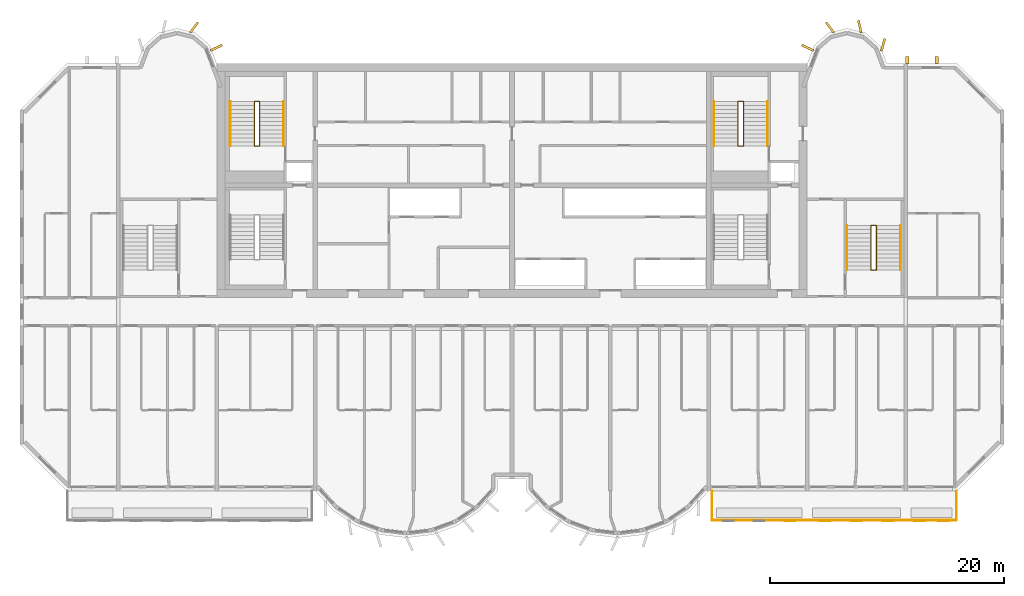
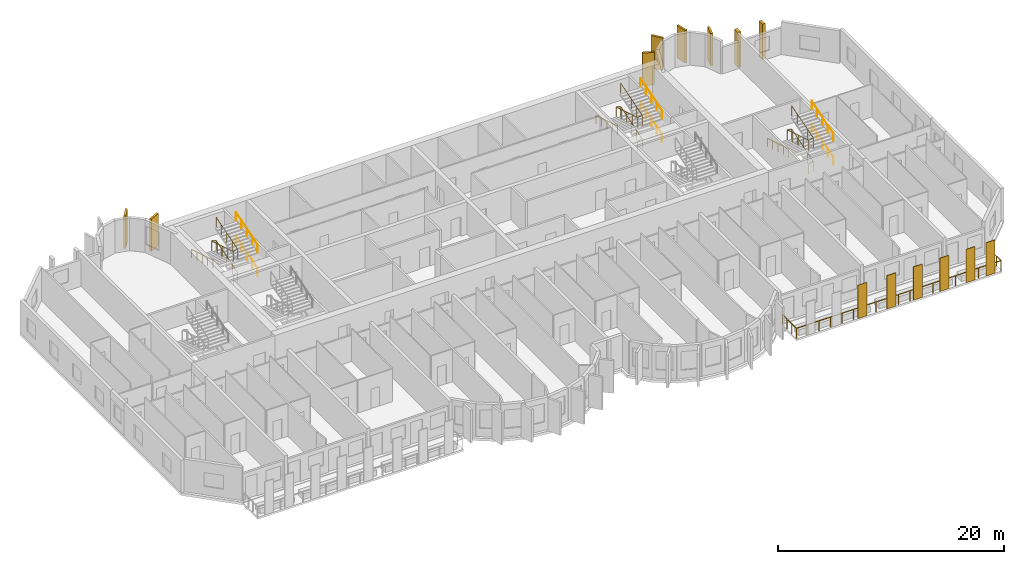
# One storey, part 12 of 13: 14 coverings, 13 railings.
"""IFC4 building model written with IfcOpenShell, lengths in metres."""

import ifcopenshell
import ifcopenshell.guid

model = None  # the IFC model being written
_history = None  # IfcOwnerHistory: only IFC2X3 demands one
_inside = {}  # id of a spatial element -> (the spatial element, [elements in it])
_under = {}  # id of a project, library or spatial element -> (it, [spatial elements below it])
_declared = {}  # id of a project -> (the project, [libraries it declares])
_typed = {}  # id of a type object -> (the type object, [elements of that type])
_made_of = {}  # id of a material, layer set ... -> (it, [elements and type objects made of it])


def new_model(schema):
    """Start an empty IFC model of exactly this schema.

    Asked for "IFC4X3", IfcOpenShell would pick the latest addendum, in which some entities
    have other attributes; the version numbers below select the first issue.
    IFC2X3 requires an IfcOwnerHistory on every rooted entity: one is made here for all.
    """
    global model, _history
    if schema == "IFC4X3":
        model = ifcopenshell.file(schema_version=(4, 3, 0, 0))
    else:
        model = ifcopenshell.file(schema=schema)
    _inside.clear()
    _under.clear()
    _declared.clear()
    _typed.clear()
    _made_of.clear()
    _history = None
    if model.schema == "IFC2X3":
        org = make("IfcOrganization", Name="unknown")
        user = make(
            "IfcPersonAndOrganization",
            ThePerson=make("IfcPerson", FamilyName="unknown"),
            TheOrganization=org,
        )
        app = make(
            "IfcApplication",
            ApplicationDeveloper=org,
            Version="unknown",
            ApplicationFullName="unknown",
            ApplicationIdentifier="unknown",
        )
        _history = make(
            "IfcOwnerHistory",
            OwningUser=user,
            OwningApplication=app,
            ChangeAction="ADDED",
            CreationDate=0,
        )
    return model


def make(cls, **values):
    """One entity of the class cls with the attributes given. An attribute that is None is left unset."""
    return model.create_entity(
        cls, **{name: value for name, value in values.items() if value is not None}
    )


def rooted(cls, **values):
    """An entity with a GlobalId (a new one), such as an element, a storey or a relation."""
    return make(cls, GlobalId=ifcopenshell.guid.new(), OwnerHistory=_history, **values)


def si_unit(unit_type, name, prefix=None):
    """IfcSIUnit, for example si_unit("LENGTHUNIT", "METRE", prefix="MILLI")."""
    return make("IfcSIUnit", UnitType=unit_type, Prefix=prefix, Name=name)


def assignment(units):
    """IfcUnitAssignment: the units of a project."""
    return None if units is None else make("IfcUnitAssignment", Units=units)


def point(xyz):
    """IfcCartesianPoint."""
    return None if xyz is None else make("IfcCartesianPoint", Coordinates=xyz)


def direction(xyz):
    """IfcDirection."""
    return None if xyz is None else make("IfcDirection", DirectionRatios=xyz)


def frame(location, z_axis=None, x_axis=None):
    """IfcAxis2Placement3D, a coordinate frame: its origin and axes. An axis left out is left unset."""
    return make(
        "IfcAxis2Placement3D",
        Location=point(location),
        Axis=direction(z_axis),
        RefDirection=direction(x_axis),
    )


def frame_2d(location, x_axis=None):
    """IfcAxis2Placement2D, a coordinate frame in the plane: its origin and x axis."""
    return make(
        "IfcAxis2Placement2D", Location=point(location), RefDirection=direction(x_axis)
    )


def origin():
    """The frame at (0, 0, 0) with its axes left unset."""
    return frame((0.0, 0.0, 0.0))


def origin_2d():
    """The frame at (0, 0) in the plane with its x axis left unset."""
    return frame_2d((0.0, 0.0))


def place(relative_to, where):
    """IfcLocalPlacement: puts the frame where relative to a parent placement (None: the world)."""
    return make(
        "IfcLocalPlacement", PlacementRelTo=relative_to, RelativePlacement=where
    )


def context(
    kind, dimensions, precision=None, world=None, true_north=None, identifier=None
):
    """IfcGeometricRepresentationContext, for example the 3D "Model" context."""
    return make(
        "IfcGeometricRepresentationContext",
        ContextIdentifier=identifier,
        ContextType=kind,
        CoordinateSpaceDimension=dimensions,
        Precision=precision,
        WorldCoordinateSystem=world,
        TrueNorth=true_north,
    )


def subcontext(parent, identifier, kind, view, scale=None):
    """IfcGeometricRepresentationSubContext, for example "Body" below "Model"."""
    return make(
        "IfcGeometricRepresentationSubContext",
        ContextIdentifier=identifier,
        ContextType=kind,
        ParentContext=parent,
        TargetScale=scale,
        TargetView=view,
    )


def project(units=None, contexts=None):
    """IfcProject with its units and contexts."""
    return rooted(
        "IfcProject",
        Name="project",
        RepresentationContexts=contexts,
        UnitsInContext=assignment(units),
    )


def spatial(cls, under=None, at=None, **own):
    """A site, building, storey or space (cls), placed at a placement, below another one or the project."""
    s = rooted(cls, ObjectPlacement=at, **own)
    if under is not None:
        _under.setdefault(under.id(), (under, []))[1].append(s)
    return s


def profile(cls, at=None, kind="AREA", **sizes):
    """A parametric profile (cls). Its sizes go by their IFC names, for example OverallWidth=200.0."""
    return make(cls, ProfileType=kind, Position=at, **sizes)


def rectangle(**sizes):
    """IfcRectangleProfileDef."""
    return profile("IfcRectangleProfileDef", **sizes)


def circle(**sizes):
    """IfcCircleProfileDef."""
    return profile("IfcCircleProfileDef", **sizes)


def extrude(swept, where, along, depth):
    """IfcExtrudedAreaSolid: the profile swept, set in the frame where, extruded along a direction by depth."""
    return make(
        "IfcExtrudedAreaSolid",
        SweptArea=swept,
        Position=where,
        ExtrudedDirection=direction(along),
        Depth=depth,
    )


def shape(context_of_items, identifier, shape_type, items):
    """IfcShapeRepresentation: the items that make up one representation, for example the "Body"."""
    return make(
        "IfcShapeRepresentation",
        ContextOfItems=context_of_items,
        RepresentationIdentifier=identifier,
        RepresentationType=shape_type,
        Items=items,
    )


def source(mapping_origin, context_of_items, identifier, shape_type, items):
    """IfcRepresentationMap: a shape defined once, which mapped items show again and again."""
    return make(
        "IfcRepresentationMap",
        MappingOrigin=mapping_origin,
        MappedRepresentation=shape(context_of_items, identifier, shape_type, items),
    )


def transform(
    local_origin,
    x_axis=None,
    y_axis=None,
    z_axis=None,
    scale=None,
    scale2=None,
    scale3=None,
    uniform=True,
):
    """IfcCartesianTransformationOperator3D, or its non-uniform kind. x_axis, y_axis, z_axis: its Axis1, 2, 3."""
    if uniform:
        return make(
            "IfcCartesianTransformationOperator3D",
            Axis1=direction(x_axis),
            Axis2=direction(y_axis),
            LocalOrigin=point(local_origin),
            Scale=scale,
            Axis3=direction(z_axis),
        )
    return make(
        "IfcCartesianTransformationOperator3DnonUniform",
        Axis1=direction(x_axis),
        Axis2=direction(y_axis),
        LocalOrigin=point(local_origin),
        Scale=scale,
        Axis3=direction(z_axis),
        Scale2=scale2,
        Scale3=scale3,
    )


def mapped(mapping_source, mapping_target):
    """IfcMappedItem: shows the shape of a source again, moved by a transform."""
    return make(
        "IfcMappedItem", MappingSource=mapping_source, MappingTarget=mapping_target
    )


def material(Name=None, Category=None):
    """IfcMaterial."""
    return make("IfcMaterial", Name=Name, Category=Category)


def layer(
    of_material, thickness, ventilated=None, Name=None, Category=None, Priority=None
):
    """IfcMaterialLayer: one layer of a wall or slab, of a material (None: an air gap)."""
    return make(
        "IfcMaterialLayer",
        Material=of_material,
        LayerThickness=thickness,
        IsVentilated=ventilated,
        Name=Name,
        Category=Category,
        Priority=Priority,
    )


def layer_set(layers, Name=None):
    """IfcMaterialLayerSet."""
    return make("IfcMaterialLayerSet", MaterialLayers=layers, LayerSetName=Name)


def material_profile(
    of_material, cross_section, Name=None, Category=None, Priority=None
):
    """IfcMaterialProfile: a cross section and its material."""
    return make(
        "IfcMaterialProfile",
        Name=Name,
        Material=of_material,
        Profile=cross_section,
        Priority=Priority,
        Category=Category,
    )


def profile_set(profiles, Name=None, composite=None):
    """IfcMaterialProfileSet."""
    return make(
        "IfcMaterialProfileSet",
        Name=Name,
        MaterialProfiles=profiles,
        CompositeProfile=composite,
    )


def made_of(thing, what):
    """Note that an element or type object is made of a material, layer set ...; save() writes the relation."""
    if what is not None:
        _made_of.setdefault(what.id(), (what, []))[1].append(thing)
    return thing


def type_object(cls, material=None, **own):
    """A type object (cls), such as IfcWallType, which elements share."""
    return made_of(rooted(cls, **own), material)


def element(
    cls,
    number,
    at=None,
    inside=None,
    cuts=None,
    type_object=None,
    material=None,
    context=None,
    identifier="Body",
    shape_type=None,
    held_by="IfcProductDefinitionShape",
    body=None,
    shapes=None,
    **own,
):
    """One element of the class cls, such as IfcWall. Its Tag is "e" and its number.

    at: its placement. inside: the storey or other place that contains it. cuts: it is an
    opening in that element (IfcRelVoidsElement). A single representation is given by context,
    identifier, shape_type and body (its items); several are given by shapes. held_by: the class
    of the entity that holds the representations. save() writes the other relations.
    """
    e = rooted(cls, Tag="e%d" % number, ObjectPlacement=at, **own)
    if body is not None:
        shapes = [shape(context, identifier, shape_type, body)]
    if shapes is not None:
        e.Representation = make(held_by, Representations=shapes)
    if inside is not None:
        _inside.setdefault(inside.id(), (inside, []))[1].append(e)
    if cuts is not None:
        rooted(
            "IfcRelVoidsElement", RelatingBuildingElement=cuts, RelatedOpeningElement=e
        )
    if type_object is not None:
        _typed.setdefault(type_object.id(), (type_object, []))[1].append(e)
    return made_of(e, material)


def aggregate(whole, parts):
    """IfcRelAggregates: a whole, such as a stair, and the parts it consists of."""
    return rooted("IfcRelAggregates", RelatingObject=whole, RelatedObjects=parts)


def save(model, path):
    """Write the relations noted so far, then the file.

    IfcRelAggregates (storeys below a building ...), IfcRelContainedInSpatialStructure (elements
    in a storey), IfcRelDefinesByType, IfcRelAssociatesMaterial and IfcRelDeclares: one each for
    every whole, place, type object, material and project.
    """
    for whole, parts in _under.values():
        aggregate(whole, parts)
    for where, things in _inside.values():
        rooted(
            "IfcRelContainedInSpatialStructure",
            RelatedElements=things,
            RelatingStructure=where,
        )
    for kind, things in _typed.values():
        rooted("IfcRelDefinesByType", RelatedObjects=things, RelatingType=kind)
    for what, things in _made_of.values():
        rooted("IfcRelAssociatesMaterial", RelatedObjects=things, RelatingMaterial=what)
    for by, libraries in _declared.values():
        rooted("IfcRelDeclares", RelatingContext=by, RelatedDefinitions=libraries)
    model.write(path)


model = new_model("IFC4")

# Units and contexts
model_context = context("Model", 3, precision=1e-05, world=origin(), true_north=direction((0.0, 1.0)))
body_context = subcontext(model_context, "Body", "Model", "MODEL_VIEW")
ifc_project = project(units=[si_unit("LENGTHUNIT", "METRE"), si_unit("AREAUNIT", "SQUARE_METRE"), si_unit("VOLUMEUNIT", "CUBIC_METRE"), si_unit("PLANEANGLEUNIT", "RADIAN"), si_unit("MASSUNIT", "GRAM", prefix="KILO")], contexts=[model_context])

# Site, building, storey
site_placement = place(None, origin())
site = spatial("IfcSite", under=ifc_project, at=site_placement, CompositionType="ELEMENT")
building_placement = place(site_placement, origin())
building = spatial("IfcBuilding", under=site, at=building_placement, Name="Vanashikhar Sky Hotel", CompositionType="ELEMENT")
storey_placement = place(building_placement, frame((0.0, 0.0, 178.199951171875)))
storey = spatial("IfcBuildingStorey", under=building, at=storey_placement, Name="L43", CompositionType="ELEMENT", Elevation=178.199951171875)

# Coverings
ifc_material_1 = material(Name="Terracotta", Category="masonry")
ifc_layer = layer(ifc_material_1, 0.06005859375)
ifc_layer_set = layer_set([ifc_layer], Name="Terracotta baguette screen")
covering_type_1 = type_object("IfcCoveringType", Name="Terracotta baguette screen", PredefinedType="CLADDING", material=ifc_layer_set)
shared_shape_1 = source(origin(), body_context, "Body", "SweptSolid", [
    extrude(rectangle(XDim=0.89990234375, YDim=0.06005859375, at=origin_2d()), origin(), (0.0, 0.0, 1.0), 3.60009765625),
])
for number, where, z_axis, x_axis, name in (
    (1, (74.13330078125, 2.929931640625, -0.050048828125), (0.0, 0.0, 1.0), (1.0, 0.0, 0.0), "Terracotta screen"),
    (2, (77.10009765625, 2.929931640625, -0.050048828125), (0.0, 0.0, 1.0), (1.0, 0.0, 0.0), "Terracotta screen"),
    (3, (79.800048828125, 2.929931640625, -0.050048828125), (0.0, 0.0, 1.0), (1.0, 0.0, 0.0), "Terracotta screen"),
    (4, (82.5, 2.929931640625, -0.050048828125), (0.0, 0.0, 1.0), (1.0, 0.0, 0.0), "Terracotta screen"),
    (5, (85.175048828125, 2.929931640625, -0.050048828125), (0.0, 0.0, 1.0), (1.0, 0.0, 0.0), "Terracotta screen"),
    (6, (87.22509765625, 2.929931640625, -0.050048828125), (0.0, 0.0, 1.0), (1.0, 0.0, 0.0), "Terracotta screen"),
):
    element("IfcCovering", number, at=place(storey_placement, frame(where, z_axis=z_axis, x_axis=x_axis)), inside=storey, type_object=covering_type_1, Name=name, PredefinedType="CLADDING", context=body_context, shape_type="MappedRepresentation", body=[
        mapped(shared_shape_1, transform((0.0, 0.0, 0.0), scale=1.0)),
    ])
ifc_material_2 = material(Name="Concrete M60 dark", Category="concrete")
ifc_material_profile_1 = material_profile(ifc_material_2, rectangle(XDim=1.10009765625, YDim=0.199951171875, at=origin_2d()))
ifc_profile_set_1 = profile_set([ifc_material_profile_1], Name="Rear lobe fin 1100 x 200")
covering_type_2 = type_object("IfcCoveringType", Name="Rear lobe fin 1100 x 200", PredefinedType="CLADDING", material=ifc_profile_set_1)
shared_shape_2 = source(origin(), body_context, "Body", "SweptSolid", [
    extrude(rectangle(XDim=1.10009765625, YDim=0.199951171875, at=origin_2d()), origin(), (0.0, 0.0, 1.0), 3.52001953125),
])
for number, where, z_axis, x_axis, name in (
    (7, (23.261962890625, 45.06640625, 0.0), (0.0, 0.0, 1.0), (0.602065892195, 0.798446404874, 0.0), "Fin R1-3"),
    (8, (25.169677734375, 43.33447265625, 0.0), (0.0, 0.0, 1.0), (0.908004291068, 0.418960866193, 0.0), "Fin R1-4"),
    (9, (75.63037109375, 43.33447265625, 0.0), (0.0, 0.0, 1.0), (-0.908004291068, 0.418960866193, 0.0), "Fin R2-1"),
    (10, (77.5380859375, 45.06640625, 0.0), (0.0, 0.0, 1.0), (-0.602065892195, 0.798446404874, 0.0), "Fin R2-2"),
    (11, (80.08984375, 45.1455078125, 0.0), (0.0, 0.0, 1.0), (-0.224644935864, 0.974440687159, 0.0), "Fin R2-3"),
    (12, (82.0791015625, 43.580078125, 0.0), (0.0, 0.0, 1.0), (0.262711264409, 0.964874495234, 0.0), "Fin R2-4"),
):
    element("IfcCovering", number, at=place(storey_placement, frame(where, z_axis=z_axis, x_axis=x_axis)), inside=storey, type_object=covering_type_2, Name=name, PredefinedType="CLADDING", context=body_context, shape_type="MappedRepresentation", body=[
        mapped(shared_shape_2, transform((0.0, 0.0, 0.0), scale=1.0)),
    ])

# Railing
ifc_material_3 = material(Name="Stainless steel 316", Category="steel")
railing_type_1 = type_object("IfcRailingType", Name="Balcony guard 1100", PredefinedType="GUARDRAIL", material=ifc_material_3)
shared_shape_3 = source(origin(), body_context, "Body", "SweptSolid", [
    extrude(circle(Radius=0.02392578125, at=origin_2d()), frame((0.0, 0.0, 1.076171875), z_axis=(0.0, -1.0, 0.0), x_axis=(1.0, 0.0, 0.0)), (0.0, 0.0, 1.0), 2.5),
    extrude(circle(Radius=0.02392578125, at=origin_2d()), frame((0.0, -2.5, 1.076171875), z_axis=(1.0, 0.0, 0.0), x_axis=(0.0, 1.0, 0.0)), (0.0, 0.0, 1.0), 20.880126953125),
    extrude(circle(Radius=0.02392578125, at=origin_2d()), frame((20.880126953125, -2.5, 1.076171875), z_axis=(0.0, 1.0, 0.0), x_axis=(-1.0, 0.0, 0.0)), (0.0, 0.0, 1.0), 2.5),
    extrude(circle(Radius=0.02099609375, at=origin_2d()), origin(), (0.0, 0.0, 1.0), 1.052001953125),
    extrude(circle(Radius=0.02099609375, at=origin_2d()), frame((0.0, -0.833251953125, 0.0)), (0.0, 0.0, 1.0), 1.052001953125),
    extrude(circle(Radius=0.02099609375, at=origin_2d()), frame((0.0, -1.666748046875, 0.0)), (0.0, 0.0, 1.0), 1.052001953125),
    extrude(circle(Radius=0.02099609375, at=origin_2d()), frame((0.0, -2.5, 0.0)), (0.0, 0.0, 1.0), 1.052001953125),
    extrude(circle(Radius=0.02099609375, at=origin_2d()), frame((1.159912109375, -2.5, 0.0)), (0.0, 0.0, 1.0), 1.052001953125),
    extrude(circle(Radius=0.02099609375, at=origin_2d()), frame((2.320068359375, -2.5, 0.0)), (0.0, 0.0, 1.0), 1.052001953125),
    extrude(circle(Radius=0.02099609375, at=origin_2d()), frame((3.47998046875, -2.5, 0.0)), (0.0, 0.0, 1.0), 1.052001953125),
    extrude(circle(Radius=0.02099609375, at=origin_2d()), frame((4.64013671875, -2.5, 0.0)), (0.0, 0.0, 1.0), 1.052001953125),
    extrude(circle(Radius=0.02099609375, at=origin_2d()), frame((5.800048828125, -2.5, 0.0)), (0.0, 0.0, 1.0), 1.052001953125),
    extrude(circle(Radius=0.02099609375, at=origin_2d()), frame((6.9599609375, -2.5, 0.0)), (0.0, 0.0, 1.0), 1.052001953125),
    extrude(circle(Radius=0.02099609375, at=origin_2d()), frame((8.1201171875, -2.5, 0.0)), (0.0, 0.0, 1.0), 1.052001953125),
    extrude(circle(Radius=0.02099609375, at=origin_2d()), frame((9.280029296875, -2.5, 0.0)), (0.0, 0.0, 1.0), 1.052001953125),
    extrude(circle(Radius=0.02099609375, at=origin_2d()), frame((10.43994140625, -2.5, 0.0)), (0.0, 0.0, 1.0), 1.052001953125),
    extrude(circle(Radius=0.02099609375, at=origin_2d()), frame((11.60009765625, -2.5, 0.0)), (0.0, 0.0, 1.0), 1.052001953125),
    extrude(circle(Radius=0.02099609375, at=origin_2d()), frame((12.760009765625, -2.5, 0.0)), (0.0, 0.0, 1.0), 1.052001953125),
    extrude(circle(Radius=0.02099609375, at=origin_2d()), frame((13.920166015625, -2.5, 0.0)), (0.0, 0.0, 1.0), 1.052001953125),
    extrude(circle(Radius=0.02099609375, at=origin_2d()), frame((15.080078125, -2.5, 0.0)), (0.0, 0.0, 1.0), 1.052001953125),
    extrude(circle(Radius=0.02099609375, at=origin_2d()), frame((16.239990234375, -2.5, 0.0)), (0.0, 0.0, 1.0), 1.052001953125),
    extrude(circle(Radius=0.02099609375, at=origin_2d()), frame((17.400146484375, -2.5, 0.0)), (0.0, 0.0, 1.0), 1.052001953125),
    extrude(circle(Radius=0.02099609375, at=origin_2d()), frame((18.56005859375, -2.5, 0.0)), (0.0, 0.0, 1.0), 1.052001953125),
    extrude(circle(Radius=0.02099609375, at=origin_2d()), frame((19.72021484375, -2.5, 0.0)), (0.0, 0.0, 1.0), 1.052001953125),
    extrude(circle(Radius=0.02099609375, at=origin_2d()), frame((20.880126953125, -2.5, 0.0)), (0.0, 0.0, 1.0), 1.052001953125),
    extrude(circle(Radius=0.02099609375, at=origin_2d()), frame((20.880126953125, -1.666748046875, 0.0)), (0.0, 0.0, 1.0), 1.052001953125),
    extrude(circle(Radius=0.02099609375, at=origin_2d()), frame((20.880126953125, -0.833251953125, 0.0)), (0.0, 0.0, 1.0), 1.052001953125),
    extrude(circle(Radius=0.02099609375, at=origin_2d()), frame((20.880126953125, 0.0, 0.0)), (0.0, 0.0, 1.0), 1.052001953125),
])
railing_1_placement = place(storey_placement, frame((67.4599609375, 5.5, -0.050048828125)))
element("IfcRailing", 13, at=railing_1_placement, inside=storey, type_object=railing_type_1, Name="Balcony guard", PredefinedType="GUARDRAIL", context=body_context, shape_type="MappedRepresentation", body=[
    mapped(shared_shape_3, transform((0.0, 0.0, 0.0), scale=1.0)),
])

# Coverings
ifc_material_profile_2 = material_profile(ifc_material_2, rectangle(XDim=0.60009765625, YDim=0.300048828125, at=origin_2d()))
ifc_profile_set_2 = profile_set([ifc_material_profile_2], Name="Rear rib 600 x 300")
covering_type_3 = type_object("IfcCoveringType", Name="Rear rib 600 x 300", PredefinedType="CLADDING", material=ifc_profile_set_2)
shared_shape_4 = source(origin(), body_context, "Body", "SweptSolid", [
    extrude(rectangle(XDim=0.60009765625, YDim=0.300048828125, at=origin_2d()), origin(), (0.0, 0.0, 1.0), 3.800048828125),
])
for number, where, z_axis, x_axis, name in (
    (14, (84.14990234375, 42.300048828125, -0.280029296875), (0.0, 0.0, 1.0), (0.0, 1.0, 0.0), "Rear rib"),
    (15, (86.64990234375, 42.300048828125, -0.280029296875), (0.0, 0.0, 1.0), (0.0, 1.0, 0.0), "Rear rib"),
):
    element("IfcCovering", number, at=place(storey_placement, frame(where, z_axis=z_axis, x_axis=x_axis)), inside=storey, type_object=covering_type_3, Name=name, PredefinedType="CLADDING", context=body_context, shape_type="MappedRepresentation", body=[
        mapped(shared_shape_4, transform((0.0, 0.0, 0.0), scale=1.0)),
    ])

# Railings
ifc_material_4 = material(Name="Steel S355", Category="steel")
railing_type_2 = type_object("IfcRailingType", Name="Stair handrail 900", PredefinedType="HANDRAIL", material=ifc_material_4)
shared_shape_5 = source(origin(), body_context, "Body", "SweptSolid", [
    extrude(circle(Radius=0.02392578125, at=origin_2d()), frame((0.0, 0.0, 0.8759765625), z_axis=(0.0, 0.95635109408, 0.292220096591), x_axis=(-1.0, 0.0, 0.0)), (0.0, 0.0, 1.0), 3.973388671875),
    extrude(circle(Radius=0.02099609375, at=origin_2d()), origin(), (0.0, 0.0, 1.0), 0.851806640625),
    extrude(circle(Radius=0.02099609375, at=origin_2d()), frame((0.0, 0.949951171875, 0.290283203125)), (0.0, 0.0, 1.0), 0.851806640625),
    extrude(circle(Radius=0.02099609375, at=origin_2d()), frame((0.0, 1.89990234375, 0.58056640625)), (0.0, 0.0, 1.0), 0.851806640625),
    extrude(circle(Radius=0.02099609375, at=origin_2d()), frame((0.0, 2.85009765625, 0.870849609375)), (0.0, 0.0, 1.0), 0.851806640625),
    extrude(circle(Radius=0.02099609375, at=origin_2d()), frame((0.0, 3.800048828125, 1.1611328125)), (0.0, 0.0, 1.0), 0.851806640625),
])
for number, where, name in (
    (16, (30.89990234375, 34.949951171875, 2.638916015625), "Exit stair 5 handrail"),
    (17, (72.199951171875, 34.949951171875, 2.638916015625), "Exit stair 6 handrail"),
):
    element("IfcRailing", number, at=place(storey_placement, frame(where)), inside=storey, type_object=railing_type_2, Name=name, PredefinedType="HANDRAIL", context=body_context, shape_type="MappedRepresentation", body=[
        mapped(shared_shape_5, transform((0.0, 0.0, 0.0), scale=1.0)),
    ])
shared_shape_6 = source(origin(), body_context, "Body", "SweptSolid", [
    extrude(circle(Radius=0.02392578125, at=origin_2d()), frame((0.0, 0.0, 0.8759765625), z_axis=(0.0, -0.95635109408, 0.292220096591), x_axis=(1.0, 0.0, 0.0)), (0.0, 0.0, 1.0), 3.973388671875),
    extrude(circle(Radius=0.02099609375, at=origin_2d()), origin(), (0.0, 0.0, 1.0), 0.851806640625),
    extrude(circle(Radius=0.02099609375, at=origin_2d()), frame((0.0, -0.949951171875, 0.290283203125)), (0.0, 0.0, 1.0), 0.851806640625),
    extrude(circle(Radius=0.02099609375, at=origin_2d()), frame((0.0, -1.89990234375, 0.58056640625)), (0.0, 0.0, 1.0), 0.851806640625),
    extrude(circle(Radius=0.02099609375, at=origin_2d()), frame((0.0, -2.85009765625, 0.870849609375)), (0.0, 0.0, 1.0), 0.851806640625),
    extrude(circle(Radius=0.02099609375, at=origin_2d()), frame((0.0, -3.800048828125, 1.1611328125)), (0.0, 0.0, 1.0), 0.851806640625),
])
for number, where, name in (
    (18, (26.35009765625, 38.75, 1.372314453125), "Exit stair 5 handrail"),
    (19, (67.64990234375, 38.75, 1.372314453125), "Exit stair 6 handrail"),
):
    element("IfcRailing", number, at=place(storey_placement, frame(where)), inside=storey, type_object=railing_type_2, Name=name, PredefinedType="HANDRAIL", context=body_context, shape_type="MappedRepresentation", body=[
        mapped(shared_shape_6, transform((0.0, 0.0, 0.0), scale=1.0)),
    ])
railing_type_3 = type_object("IfcRailingType", Name="Stair guard 1100", PredefinedType="GUARDRAIL", material=ifc_material_4)
shared_shape_7 = source(origin(), body_context, "Body", "SweptSolid", [
    extrude(circle(Radius=0.02392578125, at=origin_2d()), frame((0.0, 0.0, 1.076171875), z_axis=(0.973520925263, 0.0, 0.228597917917), x_axis=(0.0, 1.0, 0.0)), (0.0, 0.0, 1.0), 0.46240234375),
    extrude(circle(Radius=0.02392578125, at=origin_2d()), frame((0.4501953125, 0.0, 1.181640625), z_axis=(0.0, 0.956368263741, 0.292163899395), x_axis=(-1.0, 0.0, 0.0)), (0.0, 0.0, 1.0), 3.973388671875),
    extrude(circle(Radius=0.02392578125, at=origin_2d()), frame((0.4501953125, 3.800048828125, 2.3427734375), z_axis=(-0.973520925263, 0.0, 0.228597917917), x_axis=(0.0, -1.0, 0.0)), (0.0, 0.0, 1.0), 0.46240234375),
    extrude(circle(Radius=0.02392578125, at=origin_2d()), frame((0.0, 3.800048828125, 2.4482421875), z_axis=(0.0, -0.95635109408, 0.292220096591), x_axis=(1.0, 0.0, 0.0)), (0.0, 0.0, 1.0), 3.973388671875),
    extrude(circle(Radius=0.02392578125, at=origin_2d()), frame((0.0, 0.0, 3.609375), z_axis=(0.973638301096, 0.0, 0.228097476179), x_axis=(0.0, 1.0, 0.0)), (0.0, 0.0, 1.0), 0.46240234375),
    extrude(circle(Radius=0.02392578125, at=origin_2d()), frame((0.4501953125, 0.0, 3.71484375), z_axis=(0.0, 0.95635109408, 0.292220096591), x_axis=(-1.0, 0.0, 0.0)), (0.0, 0.0, 1.0), 3.973388671875),
    extrude(circle(Radius=0.02099609375, at=origin_2d()), origin(), (0.0, 0.0, 1.0), 1.052001953125),
    extrude(circle(Radius=0.02099609375, at=origin_2d()), frame((0.4501953125, 0.0, 0.105712890625)), (0.0, 0.0, 1.0), 1.052001953125),
    extrude(circle(Radius=0.02099609375, at=origin_2d()), frame((0.4501953125, 0.949951171875, 0.39599609375)), (0.0, 0.0, 1.0), 1.052001953125),
    extrude(circle(Radius=0.02099609375, at=origin_2d()), frame((0.4501953125, 1.89990234375, 0.68603515625)), (0.0, 0.0, 1.0), 1.052001953125),
    extrude(circle(Radius=0.02099609375, at=origin_2d()), frame((0.4501953125, 2.85009765625, 0.976318359375)), (0.0, 0.0, 1.0), 1.052001953125),
    extrude(circle(Radius=0.02099609375, at=origin_2d()), frame((0.4501953125, 3.800048828125, 1.2666015625)), (0.0, 0.0, 1.0), 1.052001953125),
    extrude(circle(Radius=0.02099609375, at=origin_2d()), frame((0.0, 3.800048828125, 1.372314453125)), (0.0, 0.0, 1.0), 1.052001953125),
    extrude(circle(Radius=0.02099609375, at=origin_2d()), frame((0.0, 2.85009765625, 1.66259765625)), (0.0, 0.0, 1.0), 1.052001953125),
    extrude(circle(Radius=0.02099609375, at=origin_2d()), frame((0.0, 1.89990234375, 1.952880859375)), (0.0, 0.0, 1.0), 1.052001953125),
    extrude(circle(Radius=0.02099609375, at=origin_2d()), frame((0.0, 0.949951171875, 2.2431640625)), (0.0, 0.0, 1.0), 1.052001953125),
    extrude(circle(Radius=0.02099609375, at=origin_2d()), frame((0.0, 0.0, 2.533447265625)), (0.0, 0.0, 1.0), 1.052001953125),
    extrude(circle(Radius=0.02099609375, at=origin_2d()), frame((0.4501953125, 0.0, 2.638916015625)), (0.0, 0.0, 1.0), 1.052001953125),
    extrude(circle(Radius=0.02099609375, at=origin_2d()), frame((0.4501953125, 0.949951171875, 2.92919921875)), (0.0, 0.0, 1.0), 1.052001953125),
    extrude(circle(Radius=0.02099609375, at=origin_2d()), frame((0.4501953125, 1.89990234375, 3.219482421875)), (0.0, 0.0, 1.0), 1.052001953125),
    extrude(circle(Radius=0.02099609375, at=origin_2d()), frame((0.4501953125, 2.85009765625, 3.509765625)), (0.0, 0.0, 1.0), 1.052001953125),
    extrude(circle(Radius=0.02099609375, at=origin_2d()), frame((0.4501953125, 3.800048828125, 3.800048828125)), (0.0, 0.0, 1.0), 1.052001953125),
])
railing_2_placement = place(storey_placement, frame((28.39990234375, 34.949951171875, 0.0)))
element("IfcRailing", 20, at=railing_2_placement, inside=storey, type_object=railing_type_3, Name="Exit stair 5 guard", PredefinedType="GUARDRAIL", context=body_context, shape_type="MappedRepresentation", body=[
    mapped(shared_shape_7, transform((0.0, 0.0, 0.0), scale=1.0)),
])
shared_shape_8 = source(origin(), body_context, "Body", "SweptSolid", [
    extrude(circle(Radius=0.02392578125, at=origin_2d()), frame((0.0, 0.0, 0.8759765625), z_axis=(0.0, 0.956368263741, 0.292163899395), x_axis=(-1.0, 0.0, 0.0)), (0.0, 0.0, 1.0), 3.973388671875),
    extrude(circle(Radius=0.02099609375, at=origin_2d()), origin(), (0.0, 0.0, 1.0), 0.851806640625),
    extrude(circle(Radius=0.02099609375, at=origin_2d()), frame((0.0, 0.949951171875, 0.290283203125)), (0.0, 0.0, 1.0), 0.851806640625),
    extrude(circle(Radius=0.02099609375, at=origin_2d()), frame((0.0, 1.89990234375, 0.58056640625)), (0.0, 0.0, 1.0), 0.851806640625),
    extrude(circle(Radius=0.02099609375, at=origin_2d()), frame((0.0, 2.85009765625, 0.87060546875)), (0.0, 0.0, 1.0), 0.851806640625),
    extrude(circle(Radius=0.02099609375, at=origin_2d()), frame((0.0, 3.800048828125, 1.160888671875)), (0.0, 0.0, 1.0), 0.851806640625),
])
for number, where, name in (
    (21, (30.89990234375, 34.949951171875, 0.105712890625), "Exit stair 5 handrail"),
    (22, (72.199951171875, 34.949951171875, 0.105712890625), "Exit stair 6 handrail"),
):
    element("IfcRailing", number, at=place(storey_placement, frame(where)), inside=storey, type_object=railing_type_2, Name=name, PredefinedType="HANDRAIL", context=body_context, shape_type="MappedRepresentation", body=[
        mapped(shared_shape_8, transform((0.0, 0.0, 0.0), scale=1.0)),
    ])
shared_shape_9 = source(origin(), body_context, "Body", "SweptSolid", [
    extrude(circle(Radius=0.02392578125, at=origin_2d()), frame((0.0, 0.0, 1.076171875), z_axis=(0.973493315427, 0.0, 0.228715466945), x_axis=(0.0, 1.0, 0.0)), (0.0, 0.0, 1.0), 0.462158203125),
    extrude(circle(Radius=0.02392578125, at=origin_2d()), frame((0.449951171875, 0.0, 1.181640625), z_axis=(0.0, 0.956368263741, 0.292163899395), x_axis=(-1.0, 0.0, 0.0)), (0.0, 0.0, 1.0), 3.973388671875),
    extrude(circle(Radius=0.02392578125, at=origin_2d()), frame((0.449951171875, 3.800048828125, 2.3427734375), z_axis=(-0.973493315427, 0.0, 0.228715466945), x_axis=(0.0, -1.0, 0.0)), (0.0, 0.0, 1.0), 0.462158203125),
    extrude(circle(Radius=0.02392578125, at=origin_2d()), frame((0.0, 3.800048828125, 2.4482421875), z_axis=(0.0, -0.95635109408, 0.292220096591), x_axis=(1.0, 0.0, 0.0)), (0.0, 0.0, 1.0), 3.973388671875),
    extrude(circle(Radius=0.02392578125, at=origin_2d()), frame((0.0, 0.0, 3.609375), z_axis=(0.973610808694, 0.0, 0.228214796178), x_axis=(0.0, 1.0, 0.0)), (0.0, 0.0, 1.0), 0.462158203125),
    extrude(circle(Radius=0.02392578125, at=origin_2d()), frame((0.449951171875, 0.0, 3.71484375), z_axis=(0.0, 0.95635109408, 0.292220096591), x_axis=(-1.0, 0.0, 0.0)), (0.0, 0.0, 1.0), 3.973388671875),
    extrude(circle(Radius=0.02099609375, at=origin_2d()), origin(), (0.0, 0.0, 1.0), 1.052001953125),
    extrude(circle(Radius=0.02099609375, at=origin_2d()), frame((0.449951171875, 0.0, 0.105712890625)), (0.0, 0.0, 1.0), 1.052001953125),
    extrude(circle(Radius=0.02099609375, at=origin_2d()), frame((0.449951171875, 0.949951171875, 0.39599609375)), (0.0, 0.0, 1.0), 1.052001953125),
    extrude(circle(Radius=0.02099609375, at=origin_2d()), frame((0.449951171875, 1.89990234375, 0.68603515625)), (0.0, 0.0, 1.0), 1.052001953125),
    extrude(circle(Radius=0.02099609375, at=origin_2d()), frame((0.449951171875, 2.85009765625, 0.976318359375)), (0.0, 0.0, 1.0), 1.052001953125),
    extrude(circle(Radius=0.02099609375, at=origin_2d()), frame((0.449951171875, 3.800048828125, 1.2666015625)), (0.0, 0.0, 1.0), 1.052001953125),
    extrude(circle(Radius=0.02099609375, at=origin_2d()), frame((0.0, 3.800048828125, 1.372314453125)), (0.0, 0.0, 1.0), 1.052001953125),
    extrude(circle(Radius=0.02099609375, at=origin_2d()), frame((0.0, 2.85009765625, 1.66259765625)), (0.0, 0.0, 1.0), 1.052001953125),
    extrude(circle(Radius=0.02099609375, at=origin_2d()), frame((0.0, 1.89990234375, 1.952880859375)), (0.0, 0.0, 1.0), 1.052001953125),
    extrude(circle(Radius=0.02099609375, at=origin_2d()), frame((0.0, 0.949951171875, 2.2431640625)), (0.0, 0.0, 1.0), 1.052001953125),
    extrude(circle(Radius=0.02099609375, at=origin_2d()), frame((0.0, 0.0, 2.533447265625)), (0.0, 0.0, 1.0), 1.052001953125),
    extrude(circle(Radius=0.02099609375, at=origin_2d()), frame((0.449951171875, 0.0, 2.638916015625)), (0.0, 0.0, 1.0), 1.052001953125),
    extrude(circle(Radius=0.02099609375, at=origin_2d()), frame((0.449951171875, 0.949951171875, 2.92919921875)), (0.0, 0.0, 1.0), 1.052001953125),
    extrude(circle(Radius=0.02099609375, at=origin_2d()), frame((0.449951171875, 1.89990234375, 3.219482421875)), (0.0, 0.0, 1.0), 1.052001953125),
    extrude(circle(Radius=0.02099609375, at=origin_2d()), frame((0.449951171875, 2.85009765625, 3.509765625)), (0.0, 0.0, 1.0), 1.052001953125),
    extrude(circle(Radius=0.02099609375, at=origin_2d()), frame((0.449951171875, 3.800048828125, 3.800048828125)), (0.0, 0.0, 1.0), 1.052001953125),
])
railing_3_placement = place(storey_placement, frame((69.699951171875, 34.949951171875, 0.0)))
element("IfcRailing", 23, at=railing_3_placement, inside=storey, type_object=railing_type_3, Name="Exit stair 6 guard", PredefinedType="GUARDRAIL", context=body_context, shape_type="MappedRepresentation", body=[
    mapped(shared_shape_9, transform((0.0, 0.0, 0.0), scale=1.0)),
])
shared_shape_10 = source(origin(), body_context, "Body", "SweptSolid", [
    extrude(circle(Radius=0.02392578125, at=origin_2d()), frame((0.0, 0.0, 0.8759765625), z_axis=(0.0, 0.956345846891, 0.292237268557), x_axis=(-1.0, 0.0, 0.0)), (0.0, 0.0, 1.0), 3.97314453125),
    extrude(circle(Radius=0.02099609375, at=origin_2d()), origin(), (0.0, 0.0, 1.0), 0.851806640625),
    extrude(circle(Radius=0.02099609375, at=origin_2d()), frame((0.0, 0.949951171875, 0.290283203125)), (0.0, 0.0, 1.0), 0.851806640625),
    extrude(circle(Radius=0.02099609375, at=origin_2d()), frame((0.0, 1.89990234375, 0.58056640625)), (0.0, 0.0, 1.0), 0.851806640625),
    extrude(circle(Radius=0.02099609375, at=origin_2d()), frame((0.0, 2.849853515625, 0.870849609375)), (0.0, 0.0, 1.0), 0.851806640625),
    extrude(circle(Radius=0.02099609375, at=origin_2d()), frame((0.0, 3.7998046875, 1.1611328125)), (0.0, 0.0, 1.0), 0.851806640625),
])
railing_4_placement = place(storey_placement, frame((83.550048828125, 24.35009765625, 2.638916015625)))
element("IfcRailing", 24, at=railing_4_placement, inside=storey, type_object=railing_type_2, Name="Exit stair 4 handrail", PredefinedType="HANDRAIL", context=body_context, shape_type="MappedRepresentation", body=[
    mapped(shared_shape_10, transform((0.0, 0.0, 0.0), scale=1.0)),
])
shared_shape_11 = source(origin(), body_context, "Body", "SweptSolid", [
    extrude(circle(Radius=0.02392578125, at=origin_2d()), frame((0.0, 0.0, 0.8759765625), z_axis=(0.0, -0.956345846891, 0.292237268557), x_axis=(1.0, 0.0, 0.0)), (0.0, 0.0, 1.0), 3.97314453125),
    extrude(circle(Radius=0.02099609375, at=origin_2d()), origin(), (0.0, 0.0, 1.0), 0.851806640625),
    extrude(circle(Radius=0.02099609375, at=origin_2d()), frame((0.0, -0.949951171875, 0.290283203125)), (0.0, 0.0, 1.0), 0.851806640625),
    extrude(circle(Radius=0.02099609375, at=origin_2d()), frame((0.0, -1.89990234375, 0.58056640625)), (0.0, 0.0, 1.0), 0.851806640625),
    extrude(circle(Radius=0.02099609375, at=origin_2d()), frame((0.0, -2.849853515625, 0.870849609375)), (0.0, 0.0, 1.0), 0.851806640625),
    extrude(circle(Radius=0.02099609375, at=origin_2d()), frame((0.0, -3.7998046875, 1.1611328125)), (0.0, 0.0, 1.0), 0.851806640625),
])
railing_5_placement = place(storey_placement, frame((79.0, 28.14990234375, 1.372314453125)))
element("IfcRailing", 25, at=railing_5_placement, inside=storey, type_object=railing_type_2, Name="Exit stair 4 handrail", PredefinedType="HANDRAIL", context=body_context, shape_type="MappedRepresentation", body=[
    mapped(shared_shape_11, transform((0.0, 0.0, 0.0), scale=1.0)),
])
shared_shape_12 = source(origin(), body_context, "Body", "SweptSolid", [
    extrude(circle(Radius=0.02392578125, at=origin_2d()), frame((0.0, 0.0, 1.076171875), z_axis=(0.973493315427, 0.0, 0.228715466945), x_axis=(0.0, 1.0, 0.0)), (0.0, 0.0, 1.0), 0.462158203125),
    extrude(circle(Radius=0.02392578125, at=origin_2d()), frame((0.449951171875, 0.0, 1.181640625), z_axis=(0.0, 0.956363018476, 0.292181068675), x_axis=(-1.0, 0.0, 0.0)), (0.0, 0.0, 1.0), 3.97314453125),
    extrude(circle(Radius=0.02392578125, at=origin_2d()), frame((0.449951171875, 3.7998046875, 2.3427734375), z_axis=(-0.973493315427, 0.0, 0.228715466945), x_axis=(0.0, -1.0, 0.0)), (0.0, 0.0, 1.0), 0.462158203125),
    extrude(circle(Radius=0.02392578125, at=origin_2d()), frame((0.0, 3.7998046875, 2.4482421875), z_axis=(0.0, -0.956345846891, 0.292237268557), x_axis=(1.0, 0.0, 0.0)), (0.0, 0.0, 1.0), 3.97314453125),
    extrude(circle(Radius=0.02392578125, at=origin_2d()), frame((0.0, 0.0, 3.609375), z_axis=(0.973610808694, 0.0, 0.228214796178), x_axis=(0.0, 1.0, 0.0)), (0.0, 0.0, 1.0), 0.462158203125),
    extrude(circle(Radius=0.02392578125, at=origin_2d()), frame((0.449951171875, 0.0, 3.71484375), z_axis=(0.0, 0.956345846891, 0.292237268557), x_axis=(-1.0, 0.0, 0.0)), (0.0, 0.0, 1.0), 3.97314453125),
    extrude(circle(Radius=0.02099609375, at=origin_2d()), origin(), (0.0, 0.0, 1.0), 1.052001953125),
    extrude(circle(Radius=0.02099609375, at=origin_2d()), frame((0.449951171875, 0.0, 0.105712890625)), (0.0, 0.0, 1.0), 1.052001953125),
    extrude(circle(Radius=0.02099609375, at=origin_2d()), frame((0.449951171875, 0.949951171875, 0.39599609375)), (0.0, 0.0, 1.0), 1.052001953125),
    extrude(circle(Radius=0.02099609375, at=origin_2d()), frame((0.449951171875, 1.89990234375, 0.68603515625)), (0.0, 0.0, 1.0), 1.052001953125),
    extrude(circle(Radius=0.02099609375, at=origin_2d()), frame((0.449951171875, 2.849853515625, 0.976318359375)), (0.0, 0.0, 1.0), 1.052001953125),
    extrude(circle(Radius=0.02099609375, at=origin_2d()), frame((0.449951171875, 3.7998046875, 1.2666015625)), (0.0, 0.0, 1.0), 1.052001953125),
    extrude(circle(Radius=0.02099609375, at=origin_2d()), frame((0.0, 3.7998046875, 1.372314453125)), (0.0, 0.0, 1.0), 1.052001953125),
    extrude(circle(Radius=0.02099609375, at=origin_2d()), frame((0.0, 2.849853515625, 1.66259765625)), (0.0, 0.0, 1.0), 1.052001953125),
    extrude(circle(Radius=0.02099609375, at=origin_2d()), frame((0.0, 1.89990234375, 1.952880859375)), (0.0, 0.0, 1.0), 1.052001953125),
    extrude(circle(Radius=0.02099609375, at=origin_2d()), frame((0.0, 0.949951171875, 2.2431640625)), (0.0, 0.0, 1.0), 1.052001953125),
    extrude(circle(Radius=0.02099609375, at=origin_2d()), frame((0.0, 0.0, 2.533447265625)), (0.0, 0.0, 1.0), 1.052001953125),
    extrude(circle(Radius=0.02099609375, at=origin_2d()), frame((0.449951171875, 0.0, 2.638916015625)), (0.0, 0.0, 1.0), 1.052001953125),
    extrude(circle(Radius=0.02099609375, at=origin_2d()), frame((0.449951171875, 0.949951171875, 2.92919921875)), (0.0, 0.0, 1.0), 1.052001953125),
    extrude(circle(Radius=0.02099609375, at=origin_2d()), frame((0.449951171875, 1.89990234375, 3.219482421875)), (0.0, 0.0, 1.0), 1.052001953125),
    extrude(circle(Radius=0.02099609375, at=origin_2d()), frame((0.449951171875, 2.849853515625, 3.509765625)), (0.0, 0.0, 1.0), 1.052001953125),
    extrude(circle(Radius=0.02099609375, at=origin_2d()), frame((0.449951171875, 3.7998046875, 3.800048828125)), (0.0, 0.0, 1.0), 1.052001953125),
])
railing_6_placement = place(storey_placement, frame((81.050048828125, 24.35009765625, 0.0)))
element("IfcRailing", 26, at=railing_6_placement, inside=storey, type_object=railing_type_3, Name="Exit stair 4 guard", PredefinedType="GUARDRAIL", context=body_context, shape_type="MappedRepresentation", body=[
    mapped(shared_shape_12, transform((0.0, 0.0, 0.0), scale=1.0)),
])
shared_shape_13 = source(origin(), body_context, "Body", "SweptSolid", [
    extrude(circle(Radius=0.02392578125, at=origin_2d()), frame((0.0, 0.0, 0.8759765625), z_axis=(0.0, 0.956363018476, 0.292181068675), x_axis=(-1.0, 0.0, 0.0)), (0.0, 0.0, 1.0), 3.97314453125),
    extrude(circle(Radius=0.02099609375, at=origin_2d()), origin(), (0.0, 0.0, 1.0), 0.851806640625),
    extrude(circle(Radius=0.02099609375, at=origin_2d()), frame((0.0, 0.949951171875, 0.290283203125)), (0.0, 0.0, 1.0), 0.851806640625),
    extrude(circle(Radius=0.02099609375, at=origin_2d()), frame((0.0, 1.89990234375, 0.58056640625)), (0.0, 0.0, 1.0), 0.851806640625),
    extrude(circle(Radius=0.02099609375, at=origin_2d()), frame((0.0, 2.849853515625, 0.87060546875)), (0.0, 0.0, 1.0), 0.851806640625),
    extrude(circle(Radius=0.02099609375, at=origin_2d()), frame((0.0, 3.7998046875, 1.160888671875)), (0.0, 0.0, 1.0), 0.851806640625),
])
railing_7_placement = place(storey_placement, frame((83.550048828125, 24.35009765625, 0.105712890625)))
element("IfcRailing", 27, at=railing_7_placement, inside=storey, type_object=railing_type_2, Name="Exit stair 4 handrail", PredefinedType="HANDRAIL", context=body_context, shape_type="MappedRepresentation", body=[
    mapped(shared_shape_13, transform((0.0, 0.0, 0.0), scale=1.0)),
])

save(model, "model.ifc")
